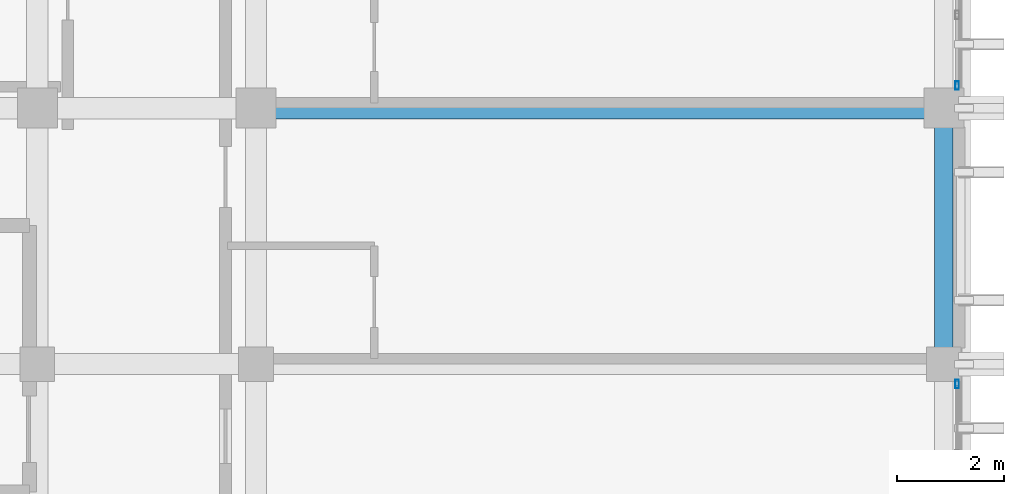
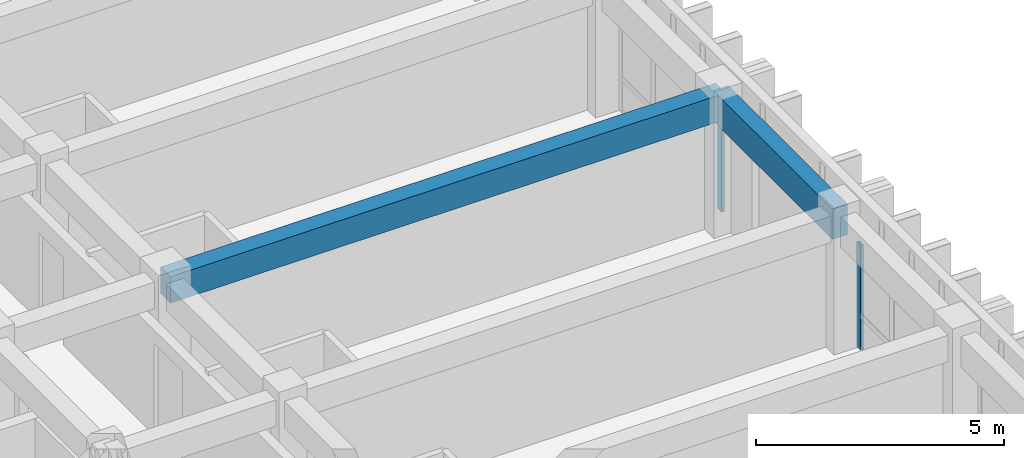
# One storey, part 32 of 64: 2 beams, 2 members, 2 elements without a shape of their own.
"""IFC4 building model written with IfcOpenShell, lengths in metres."""

from ifc_helpers import new_model, si_unit, direction, frame, origin, origin_2d, place, context, subcontext, project, spatial, rectangle, hollow_rectangle, extrude, material, layer, layer_set, material_profile, profile_set, type_object, element, aggregate, save


model = new_model("IFC4")

# Units and contexts
model_context = context("Model", 3, precision=1e-05, world=origin(), true_north=direction((0.0, 1.0)))
body_context = subcontext(model_context, "Body", "Model", "MODEL_VIEW")
ifc_project = project(units=[si_unit("LENGTHUNIT", "METRE"), si_unit("AREAUNIT", "SQUARE_METRE"), si_unit("VOLUMEUNIT", "CUBIC_METRE"), si_unit("PLANEANGLEUNIT", "RADIAN"), si_unit("MASSUNIT", "GRAM", prefix="KILO")], contexts=[model_context])

# Site, building, storey
site_placement = place(None, origin())
site = spatial("IfcSite", under=ifc_project, at=site_placement, CompositionType="ELEMENT")
building_placement = place(site_placement, origin())
building = spatial("IfcBuilding", under=site, at=building_placement, Name="Nakhvara Creek Congress Hotel", CompositionType="ELEMENT")
storey_placement = place(building_placement, frame((0.0, 0.0, 28.199951171875)))
storey = spatial("IfcBuildingStorey", under=building, at=storey_placement, Name="L06", CompositionType="ELEMENT", Elevation=28.199951171875)

# Beams
ifc_material_1 = material(Name="Concrete C40/50", Category="concrete")
ifc_material_profile_1 = material_profile(ifc_material_1, rectangle(XDim=0.39990234375, YDim=0.64990234375, at=origin_2d()), Name="RC-BM 400x650", Category="LoadBearing")
ifc_profile_set_1 = profile_set([ifc_material_profile_1], Name="Concrete C40/50")
beam_type_1 = type_object("IfcBeamType", Name="BM-RC-400X650", PredefinedType="BEAM", material=ifc_profile_set_1)
beam_1_placement = place(storey_placement, frame((166.449951171875, 96.0, 3.01513671875), z_axis=(1.0, 0.0, 0.0), x_axis=(0.0, 1.0, 0.0)))
element("IfcBeam", 1, at=beam_1_placement, inside=storey, type_object=beam_type_1, Name="Beam B06-L06-2264", PredefinedType="BEAM", context=body_context, shape_type="SweptSolid", body=[
    extrude(rectangle(XDim=0.39990234375, YDim=0.64990234375, at=origin_2d()), origin(), (0.0, 0.0, 1.0), 12.900146484375),
])
ifc_material_profile_2 = material_profile(ifc_material_1, rectangle(XDim=0.35009765625, YDim=0.75, at=origin_2d()), Name="RC-SPANDREL 350x750", Category="LoadBearing")
ifc_profile_set_2 = profile_set([ifc_material_profile_2], Name="Concrete C40/50")
beam_type_2 = type_object("IfcBeamType", Name="BM-SPN-350X750", PredefinedType="SPANDREL", material=ifc_profile_set_2)
beam_2_placement = place(storey_placement, frame((179.35009765625, 91.199951171875, 2.965087890625), z_axis=(0.0, 1.0, 0.0), x_axis=(-1.0, 0.0, 0.0)))
element("IfcBeam", 2, at=beam_2_placement, inside=storey, type_object=beam_type_2, Name="Beam SP1-L06-2286", PredefinedType="SPANDREL", context=body_context, shape_type="SweptSolid", body=[
    extrude(rectangle(XDim=0.35009765625, YDim=0.75, at=origin_2d()), origin(), (0.0, 0.0, 1.0), 4.800048828125),
])

# Curtain wall, member
ifc_material_2 = material(Name="Bronze-anodised aluminium AW-6063-T6 and double-silver low-E glass", Category="aluminium")
ifc_layer = layer(ifc_material_2, 0.199951171875)
ifc_layer_set = layer_set([ifc_layer], Name="Bronze-anodised aluminium AW-6063-T6 and double-silver low-E glass")
curtain_wall_type = type_object("IfcCurtainWallType", Name="CW-HTL-UNIT", PredefinedType="USERDEFINED", material=ifc_layer_set)
curtain_wall_1_placement = place(storey_placement, origin())
curtain_wall_1 = element("IfcCurtainWall", 3, at=curtain_wall_1_placement, inside=storey, type_object=curtain_wall_type, Name="Curtain Wall CW243", ObjectType="UNITISED", PredefinedType="USERDEFINED")
ifc_material_3 = material(Name="Bronze-anodised aluminium AW-6063-T6", Category="aluminium")
ifc_material_profile_3 = material_profile(ifc_material_3, hollow_rectangle(XDim=0.06494140625, YDim=0.159912109375, WallThickness=0.00390625, at=origin_2d()), Name="ALU-MULL 65x160x4", Category="LoadBearing")
ifc_profile_set_3 = profile_set([ifc_material_profile_3], Name="Bronze-anodised aluminium AW-6063-T6")
member_type = type_object("IfcMemberType", Name="CW-MULL-160", PredefinedType="MULLION", material=ifc_profile_set_3)
member_1_placement = place(storey_placement, frame((179.60009765625, 90.827392578125, 0.0), z_axis=(0.0, 0.0, 1.0), x_axis=(1.0, 0.0, 0.0)))
member_1 = element("IfcMember", 4, at=member_1_placement, type_object=member_type, Name="CW243 mullion 1", PredefinedType="MULLION", context=body_context, shape_type="SweptSolid", body=[
    extrude(hollow_rectangle(XDim=0.06494140625, YDim=0.159912109375, WallThickness=0.00390625, at=origin_2d()), origin(), (0.0, 0.0, 1.0), 2.58203125),
])
aggregate(curtain_wall_1, [member_1])

curtain_wall_2_placement = place(storey_placement, origin())
curtain_wall_2 = element("IfcCurtainWall", 5, at=curtain_wall_2_placement, inside=storey, type_object=curtain_wall_type, Name="Curtain Wall CW245", ObjectType="UNITISED", PredefinedType="USERDEFINED")
member_2_placement = place(storey_placement, frame((179.60009765625, 96.422607421875, 0.0), z_axis=(0.0, 0.0, 1.0), x_axis=(1.0, 0.0, 0.0)))
member_2 = element("IfcMember", 6, at=member_2_placement, type_object=member_type, Name="CW245 mullion 4", PredefinedType="MULLION", context=body_context, shape_type="SweptSolid", body=[
    extrude(hollow_rectangle(XDim=0.06494140625, YDim=0.159912109375, WallThickness=0.00390625, at=origin_2d()), origin(), (0.0, 0.0, 1.0), 2.58203125),
])
aggregate(curtain_wall_2, [member_2])

save(model, "model.ifc")
